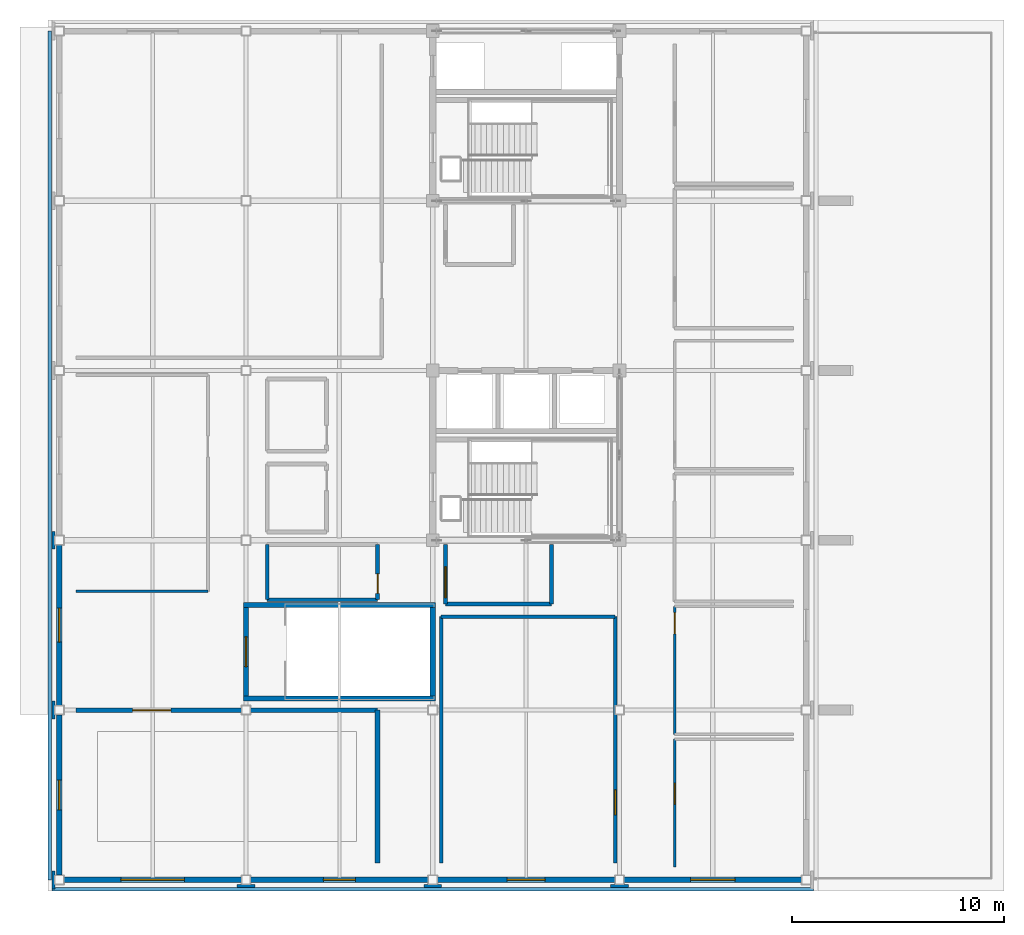
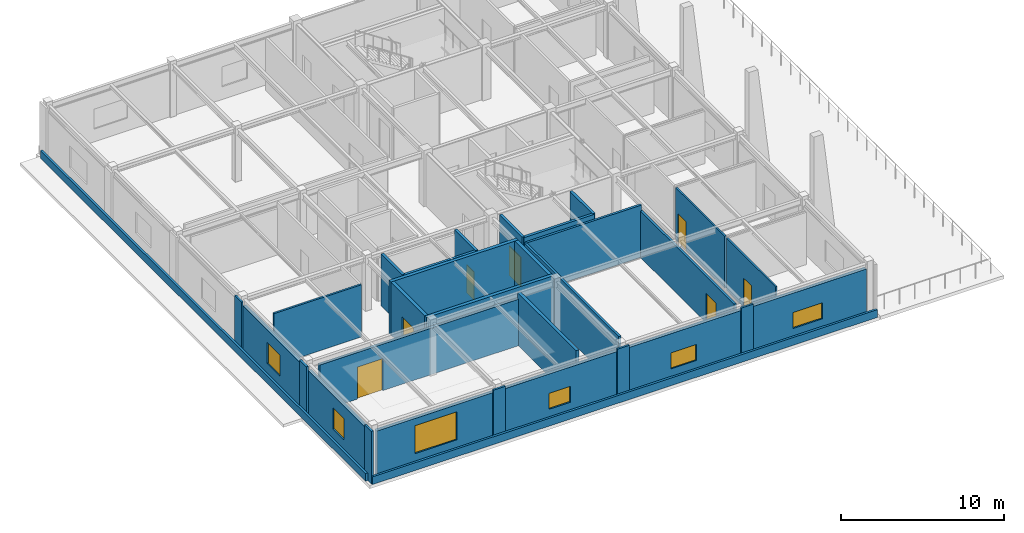
# One storey, part 6 of 13: 32 walls, 7 doors, 6 windows, 13 openings.
"""IFC4 building model written with IfcOpenShell, lengths in metres."""

from ifc_helpers import new_model, si_unit, direction, frame, frame_2d, origin, place, context, subcontext, project, spatial, rectangle, extrude, material, layer, layer_set, type_object, element, fill, save


model = new_model("IFC4")

# Units and contexts
model_context = context("Model", 3, precision=1e-05, world=origin(), true_north=direction((0.0, 1.0)))
body_context = subcontext(model_context, "Body", "Model", "MODEL_VIEW")
ifc_project = project(units=[si_unit("LENGTHUNIT", "METRE"), si_unit("AREAUNIT", "SQUARE_METRE"), si_unit("VOLUMEUNIT", "CUBIC_METRE"), si_unit("PLANEANGLEUNIT", "RADIAN"), si_unit("MASSUNIT", "GRAM", prefix="KILO")], contexts=[model_context])

# Site, building, storey
site_placement = place(None, origin())
site = spatial("IfcSite", under=ifc_project, at=site_placement, CompositionType="ELEMENT")
building_placement = place(site_placement, origin())
building = spatial("IfcBuilding", under=site, at=building_placement, Name="Zhaolan Boulevard Law Courts", CompositionType="ELEMENT")
storey_placement = place(building_placement, frame((0.0, 0.0, 37.199951171875)))
storey = spatial("IfcBuildingStorey", under=building, at=storey_placement, Name="L08", CompositionType="ELEMENT", Elevation=37.199951171875)

# Walls
ifc_material_1 = material(Name="Concrete C40", Category="concrete")
ifc_layer_1 = layer(ifc_material_1, 0.139892578125)
ifc_layer_set_1 = layer_set([ifc_layer_1])
wall_type_1 = type_object("IfcWallType", Name="EXT WALL ARCH CLAD140", PredefinedType="SOLIDWALL", material=ifc_layer_set_1)
for number, where, z_axis, x_axis, name in (
    (1, (-0.280029296875, 29.580078125, 0.0), (0.0, 0.0, 1.0), (0.0, 1.0, 0.0), "Concrete Column Cloak Pier CPR-183"),
    (2, (-0.280029296875, 37.580078125, 0.0), (0.0, 0.0, 1.0), (0.0, 1.0, 0.0), "Concrete Column Cloak Pier CPR-185"),
    (3, (-0.280029296875, 45.580078125, 0.0), (0.0, 0.0, 1.0), (0.0, 1.0, 0.0), "Concrete Column Cloak Pier CPR-187"),
):
    element("IfcWall", number, at=place(storey_placement, frame(where, z_axis=z_axis, x_axis=x_axis)), inside=storey, type_object=wall_type_1, Name=name, PredefinedType="SOLIDWALL", context=body_context, shape_type="SweptSolid", body=[
        extrude(rectangle(XDim=0.83984375, YDim=0.139892578125, at=frame_2d((0.419921875, 0.0))), origin(), (0.0, 0.0, 1.0), 3.93994140625),
    ])
for number, where, z_axis, x_axis, name in (
    (4, (8.3798828125, 29.719970703125, 0.0), (0.0, 0.0, 1.0), (1.0, 0.0, 0.0), "Concrete Column Cloak Pier CPR-195"),
    (5, (17.179931640625, 29.719970703125, 0.0), (0.0, 0.0, 1.0), (1.0, 0.0, 0.0), "Concrete Column Cloak Pier CPR-196"),
    (6, (25.97998046875, 29.719970703125, 0.0), (0.0, 0.0, 1.0), (1.0, 0.0, 0.0), "Concrete Column Cloak Pier CPR-197"),
):
    element("IfcWall", number, at=place(storey_placement, frame(where, z_axis=z_axis, x_axis=x_axis)), inside=storey, type_object=wall_type_1, Name=name, PredefinedType="SOLIDWALL", context=body_context, shape_type="SweptSolid", body=[
        extrude(rectangle(XDim=0.840087890625, YDim=0.139892578125, at=frame_2d((0.419921875, 0.0))), origin(), (0.0, 0.0, 1.0), 3.93994140625),
    ])
ifc_material_2 = material(Name="Concrete C40", Category="concrete")
ifc_layer_2 = layer(ifc_material_2, 0.159912109375)
ifc_layer_set_2 = layer_set([ifc_layer_2])
wall_type_2 = type_object("IfcWallType", Name="EXT WALL ARCH CLAD160", PredefinedType="SOLIDWALL", material=ifc_layer_set_2)
wall_1_placement = place(storey_placement, frame((-0.43994140625, 70.0, 0.0), z_axis=(0.0, 0.0, 1.0), x_axis=(0.0, -1.0, 0.0)))
element("IfcWall", 7, at=wall_1_placement, inside=storey, type_object=wall_type_2, Name="Sculpted Concrete Spandrel Band CBW-179", PredefinedType="SOLIDWALL", context=body_context, shape_type="SweptSolid", body=[
    extrude(rectangle(XDim=40.0, YDim=0.159912109375, at=frame_2d((20.0, 0.0))), origin(), (0.0, 0.0, 1.0), 0.580078125),
])
wall_2_placement = place(storey_placement, frame((-0.340087890625, 29.56005859375, 0.0), z_axis=(0.0, 0.0, 1.0), x_axis=(1.0, 0.0, 0.0)))
element("IfcWall", 8, at=wall_2_placement, inside=storey, type_object=wall_type_2, Name="Sculpted Concrete Spandrel Band CBW-181", PredefinedType="SOLIDWALL", context=body_context, shape_type="SweptSolid", body=[
    extrude(rectangle(XDim=35.880126953125, YDim=0.159912109375, at=frame_2d((17.93994140625, 0.0))), origin(), (0.0, 0.0, 1.0), 0.580078125),
])

# Wall, opening, window
ifc_material_3 = material(Name="Concrete C40", Category="concrete")
ifc_layer_3 = layer(ifc_material_3, 0.260009765625)
ifc_layer_set_3 = layer_set([ifc_layer_3])
wall_type_3 = type_object("IfcWallType", Name="EXT WALL CONCRETE260", PredefinedType="SOLIDWALL", material=ifc_layer_set_3)
wall_3_placement = place(storey_placement, frame((0.220947265625, 30.0, 0.0), z_axis=(0.0, 0.0, 1.0), x_axis=(1.0, 0.0, 0.0)))
wall_3 = element("IfcWall", 9, at=wall_3_placement, inside=storey, type_object=wall_type_3, Name="Exterior Wall EW-L08-408", PredefinedType="SOLIDWALL", context=body_context, shape_type="SweptSolid", body=[
    extrude(rectangle(XDim=8.358154296875, YDim=0.260009765625, at=frame_2d((4.17919921875, 0.0))), origin(), (0.0, 0.0, 1.0), 3.593017578125),
])
opening_1_placement = place(wall_3_placement, frame((2.678955078125, 0.0, 0.949951171875)))
opening_1 = element("IfcOpeningElement", 10, at=opening_1_placement, cuts=wall_3, Name="Opening WIN-L08-258", PredefinedType="OPENING", context=body_context, shape_type="SweptSolid", body=[
    extrude(rectangle(XDim=3.0, YDim=2.10009765625, at=frame_2d((1.5, 1.050048828125))), frame((0.0, 0.139892578125, 0.0), z_axis=(0.0, -1.0, 0.0), x_axis=(1.0, 0.0, 0.0)), (0.0, 0.0, 1.0), 0.280029296875),
])
ifc_material_4 = material(Name="Thermally broken aluminium and low-E glazing", Category="aluminium")
window_type_1 = type_object("IfcWindowType", Name="WINDOW 3000X2100", PartitioningType="DOUBLE_PANEL_VERTICAL", PredefinedType="WINDOW", material=ifc_material_4)
window_1_placement = place(opening_1_placement, origin())
window_1 = element("IfcWindow", 11, at=window_1_placement, inside=storey, type_object=window_type_1, Name="Exterior Window WIN-L08-258", OverallHeight=2.10009765625, OverallWidth=3.0, PartitioningType="SINGLE_PANEL", PredefinedType="WINDOW", context=body_context, shape_type="SweptSolid", body=[
    extrude(rectangle(XDim=3.0, YDim=2.10009765625, at=frame_2d((1.5, 1.050048828125))), frame((0.0, 0.030029296875, 0.0), z_axis=(0.0, -1.0, 0.0), x_axis=(1.0, 0.0, 0.0)), (0.0, 0.0, 1.0), 0.06005859375),
])
fill(opening_1, window_1)

wall_4_placement = place(storey_placement, frame((9.02099609375, 30.0, 0.0), z_axis=(0.0, 0.0, 1.0), x_axis=(1.0, 0.0, 0.0)))
wall_4 = element("IfcWall", 12, at=wall_4_placement, inside=storey, type_object=wall_type_3, Name="Exterior Wall EW-L08-409", PredefinedType="SOLIDWALL", context=body_context, shape_type="SweptSolid", body=[
    extrude(rectangle(XDim=8.35791015625, YDim=0.260009765625, at=frame_2d((4.178955078125, 0.0))), origin(), (0.0, 0.0, 1.0), 3.593017578125),
])
opening_2_placement = place(wall_4_placement, frame((3.428955078125, 0.0, 0.949951171875)))
opening_2 = element("IfcOpeningElement", 13, at=opening_2_placement, cuts=wall_4, Name="Opening WIN-L08-259", PredefinedType="OPENING", context=body_context, shape_type="SweptSolid", body=[
    extrude(rectangle(XDim=1.5, YDim=1.199951171875, at=frame_2d((0.75, 0.60009765625))), frame((0.0, 0.139892578125, 0.0), z_axis=(0.0, -1.0, 0.0), x_axis=(1.0, 0.0, 0.0)), (0.0, 0.0, 1.0), 0.280029296875),
])
ifc_material_5 = material(Name="Thermally broken aluminium and low-E glazing", Category="aluminium")
window_type_2 = type_object("IfcWindowType", Name="WINDOW 1500X1200", PartitioningType="SINGLE_PANEL", PredefinedType="WINDOW", material=ifc_material_5)
window_2_placement = place(opening_2_placement, origin())
window_2 = element("IfcWindow", 14, at=window_2_placement, inside=storey, type_object=window_type_2, Name="Exterior Window WIN-L08-259", OverallHeight=1.199951171875, OverallWidth=1.5, PartitioningType="SINGLE_PANEL", PredefinedType="WINDOW", context=body_context, shape_type="SweptSolid", body=[
    extrude(rectangle(XDim=1.5, YDim=1.199951171875, at=frame_2d((0.75, 0.60009765625))), frame((0.0, 0.030029296875, 0.0), z_axis=(0.0, -1.0, 0.0), x_axis=(1.0, 0.0, 0.0)), (0.0, 0.0, 1.0), 0.06005859375),
])
fill(opening_2, window_2)

wall_5_placement = place(storey_placement, frame((17.821044921875, 30.0, 0.0), z_axis=(0.0, 0.0, 1.0), x_axis=(1.0, 0.0, 0.0)))
wall_5 = element("IfcWall", 15, at=wall_5_placement, inside=storey, type_object=wall_type_3, Name="Exterior Wall EW-L08-410", PredefinedType="SOLIDWALL", context=body_context, shape_type="SweptSolid", body=[
    extrude(rectangle(XDim=8.35791015625, YDim=0.260009765625, at=frame_2d((4.178955078125, 0.0))), origin(), (0.0, 0.0, 1.0), 3.593017578125),
])
opening_3_placement = place(wall_5_placement, frame((3.279052734375, 0.0, 0.949951171875)))
opening_3 = element("IfcOpeningElement", 16, at=opening_3_placement, cuts=wall_5, Name="Opening WIN-L08-260", PredefinedType="OPENING", context=body_context, shape_type="SweptSolid", body=[
    extrude(rectangle(XDim=1.800048828125, YDim=1.199951171875, at=frame_2d((0.89990234375, 0.60009765625))), frame((0.0, 0.139892578125, 0.0), z_axis=(0.0, -1.0, 0.0), x_axis=(1.0, 0.0, 0.0)), (0.0, 0.0, 1.0), 0.280029296875),
])
ifc_material_6 = material(Name="Thermally broken aluminium and low-E glazing", Category="aluminium")
window_type_3 = type_object("IfcWindowType", Name="WINDOW 1800X1200", PartitioningType="DOUBLE_PANEL_VERTICAL", PredefinedType="WINDOW", material=ifc_material_6)
window_3_placement = place(opening_3_placement, origin())
window_3 = element("IfcWindow", 17, at=window_3_placement, inside=storey, type_object=window_type_3, Name="Exterior Window WIN-L08-260", OverallHeight=1.199951171875, OverallWidth=1.800048828125, PartitioningType="SINGLE_PANEL", PredefinedType="WINDOW", context=body_context, shape_type="SweptSolid", body=[
    extrude(rectangle(XDim=1.800048828125, YDim=1.199951171875, at=frame_2d((0.89990234375, 0.60009765625))), frame((0.0, 0.030029296875, 0.0), z_axis=(0.0, -1.0, 0.0), x_axis=(1.0, 0.0, 0.0)), (0.0, 0.0, 1.0), 0.06005859375),
])
fill(opening_3, window_3)

wall_6_placement = place(storey_placement, frame((26.62109375, 30.0, 0.0), z_axis=(0.0, 0.0, 1.0), x_axis=(1.0, 0.0, 0.0)))
wall_6 = element("IfcWall", 18, at=wall_6_placement, inside=storey, type_object=wall_type_3, Name="Exterior Wall EW-L08-411", PredefinedType="SOLIDWALL", context=body_context, shape_type="SweptSolid", body=[
    extrude(rectangle(XDim=8.35791015625, YDim=0.260009765625, at=frame_2d((4.178955078125, 0.0))), origin(), (0.0, 0.0, 1.0), 3.593017578125),
])
opening_4_placement = place(wall_6_placement, frame((3.12890625, 0.0, 0.949951171875)))
opening_4 = element("IfcOpeningElement", 19, at=opening_4_placement, cuts=wall_6, Name="Opening WIN-L08-261", PredefinedType="OPENING", context=body_context, shape_type="SweptSolid", body=[
    extrude(rectangle(XDim=2.10009765625, YDim=1.199951171875, at=frame_2d((1.050048828125, 0.60009765625))), frame((0.0, 0.139892578125, 0.0), z_axis=(0.0, -1.0, 0.0), x_axis=(1.0, 0.0, 0.0)), (0.0, 0.0, 1.0), 0.280029296875),
])
ifc_material_7 = material(Name="Thermally broken aluminium and low-E glazing", Category="aluminium")
window_type_4 = type_object("IfcWindowType", Name="WINDOW 2100X1200", PartitioningType="DOUBLE_PANEL_VERTICAL", PredefinedType="WINDOW", material=ifc_material_7)
window_4_placement = place(opening_4_placement, origin())
window_4 = element("IfcWindow", 20, at=window_4_placement, inside=storey, type_object=window_type_4, Name="Exterior Window WIN-L08-261", OverallHeight=1.199951171875, OverallWidth=2.10009765625, PartitioningType="SINGLE_PANEL", PredefinedType="WINDOW", context=body_context, shape_type="SweptSolid", body=[
    extrude(rectangle(XDim=2.10009765625, YDim=1.199951171875, at=frame_2d((1.050048828125, 0.60009765625))), frame((0.0, 0.030029296875, 0.0), z_axis=(0.0, -1.0, 0.0), x_axis=(1.0, 0.0, 0.0)), (0.0, 0.0, 1.0), 0.06005859375),
])
fill(opening_4, window_4)

wall_7_placement = place(storey_placement, frame((0.0, 37.779052734375, 0.0), z_axis=(0.0, 0.0, 1.0), x_axis=(0.0, -1.0, 0.0)))
wall_7 = element("IfcWall", 21, at=wall_7_placement, inside=storey, type_object=wall_type_3, Name="Exterior Wall EW-L08-415", PredefinedType="SOLIDWALL", context=body_context, shape_type="SweptSolid", body=[
    extrude(rectangle(XDim=7.55810546875, YDim=0.260009765625, at=frame_2d((3.779052734375, 0.0))), origin(), (0.0, 0.0, 1.0), 3.483154296875),
])
opening_5_placement = place(wall_7_placement, frame((3.0791015625, 0.0, 0.949951171875)))
opening_5 = element("IfcOpeningElement", 22, at=opening_5_placement, cuts=wall_7, Name="Opening WIN-L08-265", PredefinedType="OPENING", context=body_context, shape_type="SweptSolid", body=[
    extrude(rectangle(XDim=1.39990234375, YDim=1.60009765625, at=frame_2d((0.699951171875, 0.800048828125))), frame((0.0, 0.139892578125, 0.0), z_axis=(0.0, -1.0, 0.0), x_axis=(1.0, 0.0, 0.0)), (0.0, 0.0, 1.0), 0.280029296875),
])
ifc_material_8 = material(Name="Thermally broken aluminium and low-E glazing", Category="aluminium")
window_type_5 = type_object("IfcWindowType", Name="WINDOW 1400X1600", PartitioningType="SINGLE_PANEL", PredefinedType="WINDOW", material=ifc_material_8)
window_5_placement = place(opening_5_placement, origin())
window_5 = element("IfcWindow", 23, at=window_5_placement, inside=storey, type_object=window_type_5, Name="Exterior Window WIN-L08-265", OverallHeight=1.60009765625, OverallWidth=1.39990234375, PartitioningType="SINGLE_PANEL", PredefinedType="WINDOW", context=body_context, shape_type="SweptSolid", body=[
    extrude(rectangle(XDim=1.39990234375, YDim=1.60009765625, at=frame_2d((0.699951171875, 0.800048828125))), frame((0.0, 0.030029296875, 0.0), z_axis=(0.0, -1.0, 0.0), x_axis=(1.0, 0.0, 0.0)), (0.0, 0.0, 1.0), 0.06005859375),
])
fill(opening_5, window_5)

wall_8_placement = place(storey_placement, frame((0.0, 45.779052734375, 0.0), z_axis=(0.0, 0.0, 1.0), x_axis=(0.0, -1.0, 0.0)))
wall_8 = element("IfcWall", 24, at=wall_8_placement, inside=storey, type_object=wall_type_3, Name="Exterior Wall EW-L08-416", PredefinedType="SOLIDWALL", context=body_context, shape_type="SweptSolid", body=[
    extrude(rectangle(XDim=7.55810546875, YDim=0.260009765625, at=frame_2d((3.779052734375, 0.0))), origin(), (0.0, 0.0, 1.0), 3.483154296875),
])
opening_6_placement = place(wall_8_placement, frame((2.97900390625, 0.0, 0.949951171875)))
opening_6 = element("IfcOpeningElement", 25, at=opening_6_placement, cuts=wall_8, Name="Opening WIN-L08-266", PredefinedType="OPENING", context=body_context, shape_type="SweptSolid", body=[
    extrude(rectangle(XDim=1.60009765625, YDim=1.60009765625, at=frame_2d((0.800048828125, 0.800048828125))), frame((0.0, 0.139892578125, 0.0), z_axis=(0.0, -1.0, 0.0), x_axis=(1.0, 0.0, 0.0)), (0.0, 0.0, 1.0), 0.280029296875),
])
ifc_material_9 = material(Name="Thermally broken aluminium and low-E glazing", Category="aluminium")
window_type_6 = type_object("IfcWindowType", Name="WINDOW 1600X1600", PartitioningType="SINGLE_PANEL", PredefinedType="WINDOW", material=ifc_material_9)
window_6_placement = place(opening_6_placement, origin())
window_6 = element("IfcWindow", 26, at=window_6_placement, inside=storey, type_object=window_type_6, Name="Exterior Window WIN-L08-266", OverallHeight=1.60009765625, OverallWidth=1.60009765625, PartitioningType="SINGLE_PANEL", PredefinedType="WINDOW", context=body_context, shape_type="SweptSolid", body=[
    extrude(rectangle(XDim=1.60009765625, YDim=1.60009765625, at=frame_2d((0.800048828125, 0.800048828125))), frame((0.0, 0.030029296875, 0.0), z_axis=(0.0, -1.0, 0.0), x_axis=(1.0, 0.0, 0.0)), (0.0, 0.0, 1.0), 0.06005859375),
])
fill(opening_6, window_6)

# Wall
ifc_material_10 = material(Name="Acoustic gypsum and mineral-wool stud")
ifc_layer_4 = layer(ifc_material_10, 0.18994140625)
ifc_layer_set_4 = layer_set([ifc_layer_4])
wall_type_4 = type_object("IfcWallType", Name="PART WALL ACOUST190", PredefinedType="PARTITIONING", material=ifc_layer_set_4)
wall_9_placement = place(storey_placement, frame((18.199951171875, 43.0, 0.0), z_axis=(0.0, 0.0, 1.0), x_axis=(1.0, 0.0, 0.0)))
element("IfcWall", 27, at=wall_9_placement, inside=storey, type_object=wall_type_4, Name="Interior Partition PW-L08-055", PredefinedType="PARTITIONING", context=body_context, shape_type="SweptSolid", body=[
    extrude(rectangle(XDim=5.0, YDim=0.18994140625, at=frame_2d((2.5, 0.0))), origin(), (0.0, 0.0, 1.0), 3.920166015625),
])

# Wall, opening, door
wall_10_placement = place(storey_placement, frame((18.199951171875, 45.800048828125, 0.0), z_axis=(0.0, 0.0, 1.0), x_axis=(0.0, -1.0, 0.0)))
wall_10 = element("IfcWall", 28, at=wall_10_placement, inside=storey, type_object=wall_type_4, Name="Interior Partition PW-L08-056", PredefinedType="PARTITIONING", context=body_context, shape_type="SweptSolid", body=[
    extrude(rectangle(XDim=2.800048828125, YDim=0.18994140625, at=frame_2d((1.39990234375, 0.0))), origin(), (0.0, 0.0, 1.0), 3.920166015625),
])
opening_7_placement = place(wall_10_placement, frame((1.050048828125, 0.0, 0.0)))
opening_7 = element("IfcOpeningElement", 29, at=opening_7_placement, cuts=wall_10, Name="Opening FD-L08-019", PredefinedType="OPENING", context=body_context, shape_type="SweptSolid", body=[
    extrude(rectangle(XDim=1.449951171875, YDim=2.199951171875, at=frame_2d((0.72509765625, 1.10009765625))), frame((0.0, 0.10498046875, 0.0), z_axis=(0.0, -1.0, 0.0), x_axis=(1.0, 0.0, 0.0)), (0.0, 0.0, 1.0), 0.2099609375),
])
ifc_material_11 = material(Name="Fire-rated steel acoustic door", Category="steel")
door_type_1 = type_object("IfcDoorType", Name="LOBBY FIRE 1450X2200 L", OperationType="SINGLE_SWING_LEFT", PredefinedType="DOOR", material=ifc_material_11)
door_1_placement = place(opening_7_placement, origin())
door_1 = element("IfcDoor", 30, at=door_1_placement, inside=storey, type_object=door_type_1, Name="Door FD-L08-019 (Lobby Firefighting Lift L08-W1)", OperationType="SINGLE_SWING_LEFT", OverallHeight=2.199951171875, OverallWidth=1.449951171875, PredefinedType="DOOR", context=body_context, shape_type="SweptSolid", body=[
    extrude(rectangle(XDim=1.449951171875, YDim=2.199951171875, at=frame_2d((0.72509765625, 1.10009765625))), frame((0.0, 0.02490234375, 0.0), z_axis=(0.0, -1.0, 0.0), x_axis=(1.0, 0.0, 0.0)), (0.0, 0.0, 1.0), 0.050048828125),
])
fill(opening_7, door_1)

# Walls
wall_11_placement = place(storey_placement, frame((23.199951171875, 43.0, 0.0), z_axis=(0.0, 0.0, 1.0), x_axis=(0.0, 1.0, 0.0)))
element("IfcWall", 31, at=wall_11_placement, inside=storey, type_object=wall_type_4, Name="Interior Partition PW-L08-057", PredefinedType="PARTITIONING", context=body_context, shape_type="SweptSolid", body=[
    extrude(rectangle(XDim=2.800048828125, YDim=0.18994140625, at=frame_2d((1.39990234375, 0.0))), origin(), (0.0, 0.0, 1.0), 3.920166015625),
])
ifc_material_12 = material(Name="Fire-rated gypsum stud partition")
ifc_layer_5 = layer(ifc_material_12, 0.159912109375)
ifc_layer_set_5 = layer_set([ifc_layer_5])
wall_type_5 = type_object("IfcWallType", Name="PART WALL CHAMB160", PredefinedType="PARTITIONING", material=ifc_layer_set_5)
wall_12_placement = place(storey_placement, frame((26.199951171875, 42.39990234375, 0.0), z_axis=(0.0, 0.0, 1.0), x_axis=(-1.0, 0.0, 0.0)))
element("IfcWall", 32, at=wall_12_placement, inside=storey, type_object=wall_type_5, Name="Interior Partition PW-L08-806", PredefinedType="PARTITIONING", context=body_context, shape_type="SweptSolid", body=[
    extrude(rectangle(XDim=8.199951171875, YDim=0.159912109375, at=frame_2d((4.10009765625, 0.0))), origin(), (0.0, 0.0, 1.0), 3.920166015625),
])
wall_13_placement = place(storey_placement, frame((18.0, 42.39990234375, 0.0), z_axis=(0.0, 0.0, 1.0), x_axis=(0.0, -1.0, 0.0)))
element("IfcWall", 33, at=wall_13_placement, inside=storey, type_object=wall_type_5, Name="Interior Partition PW-L08-807", PredefinedType="PARTITIONING", context=body_context, shape_type="SweptSolid", body=[
    extrude(rectangle(XDim=11.599853515625, YDim=0.159912109375, at=frame_2d((5.7998046875, 0.0))), origin(), (0.0, 0.0, 1.0), 3.920166015625),
])

# Wall, opening, door
wall_14_placement = place(storey_placement, frame((26.199951171875, 30.800048828125, 0.0), z_axis=(0.0, 0.0, 1.0), x_axis=(0.0, 1.0, 0.0)))
wall_14 = element("IfcWall", 34, at=wall_14_placement, inside=storey, type_object=wall_type_5, Name="Interior Partition PW-L08-808", PredefinedType="PARTITIONING", context=body_context, shape_type="SweptSolid", body=[
    extrude(rectangle(XDim=11.599853515625, YDim=0.159912109375, at=frame_2d((5.7998046875, 0.0))), origin(), (0.0, 0.0, 1.0), 3.486083984375),
])
opening_8_placement = place(wall_14_placement, frame((2.263916015625, 0.0, 0.0)))
opening_8 = element("IfcOpeningElement", 35, at=opening_8_placement, cuts=wall_14, Name="Opening MD-L08-254", PredefinedType="OPENING", context=body_context, shape_type="SweptSolid", body=[
    extrude(rectangle(XDim=1.179931640625, YDim=2.199951171875, at=frame_2d((0.58984375, 1.10009765625))), frame((0.0, 0.08984375, 0.0), z_axis=(0.0, -1.0, 0.0), x_axis=(1.0, 0.0, 0.0)), (0.0, 0.0, 1.0), 0.179931640625),
])
ifc_material_13 = material(Name="Solid-core acoustic oak veneer door")
door_type_2 = type_object("IfcDoorType", Name="MED DOOR 1180X2200 R", OperationType="SINGLE_SWING_RIGHT", PredefinedType="DOOR", material=ifc_material_13)
door_2_placement = place(opening_8_placement, origin())
door_2 = element("IfcDoor", 36, at=door_2_placement, inside=storey, type_object=door_type_2, Name="Door MD-L08-254 (En Banc Deliberation Room L08)", OperationType="SINGLE_SWING_RIGHT", OverallHeight=2.199951171875, OverallWidth=1.179931640625, PredefinedType="DOOR", context=body_context, shape_type="SweptSolid", body=[
    extrude(rectangle(XDim=1.179931640625, YDim=2.199951171875, at=frame_2d((0.58984375, 1.10009765625))), frame((0.0, 0.02490234375, 0.0), z_axis=(0.0, -1.0, 0.0), x_axis=(1.0, 0.0, 0.0)), (0.0, 0.0, 1.0), 0.050048828125),
])
fill(opening_8, door_2)

ifc_material_14 = material(Name="Concrete C40", Category="concrete")
ifc_layer_6 = layer(ifc_material_14, 0.219970703125)
ifc_layer_set_6 = layer_set([ifc_layer_6])
wall_type_6 = type_object("IfcWallType", Name="PART WALL COURT220", PredefinedType="PARTITIONING", material=ifc_layer_set_6)
wall_15_placement = place(storey_placement, frame((15.0, 38.0, 0.0), z_axis=(0.0, 0.0, 1.0), x_axis=(-1.0, 0.0, 0.0)))
wall_15 = element("IfcWall", 37, at=wall_15_placement, inside=storey, type_object=wall_type_6, Name="Interior Partition PW-L08-710", PredefinedType="PARTITIONING", context=body_context, shape_type="SweptSolid", body=[
    extrude(rectangle(XDim=14.199951171875, YDim=0.219970703125, at=frame_2d((7.10009765625, 0.0))), origin(), (0.0, 0.0, 1.0), 3.486083984375),
])
opening_9_placement = place(wall_15_placement, frame((9.739990234375, 0.0, 0.0)))
opening_9 = element("IfcOpeningElement", 38, at=opening_9_placement, cuts=wall_15, Name="Opening ID-L08-219", PredefinedType="OPENING", context=body_context, shape_type="SweptSolid", body=[
    extrude(rectangle(XDim=1.800048828125, YDim=2.39990234375, at=frame_2d((0.89990234375, 1.199951171875))), frame((0.0, 0.119873046875, 0.0), z_axis=(0.0, -1.0, 0.0), x_axis=(1.0, 0.0, 0.0)), (0.0, 0.0, 1.0), 0.239990234375),
])
ifc_material_15 = material(Name="Solid-core acoustic oak veneer door")
door_type_3 = type_object("IfcDoorType", Name="COURT DOUBLE 1800X2400", OperationType="DOUBLE_DOOR_SINGLE_SWING", PredefinedType="DOOR", material=ifc_material_15)
door_3_placement = place(opening_9_placement, origin())
door_3 = element("IfcDoor", 39, at=door_3_placement, inside=storey, type_object=door_type_3, Name="Door ID-L08-219 (En Banc Assembly Courtroom)", OperationType="DOUBLE_DOOR_SINGLE_SWING", OverallHeight=2.39990234375, OverallWidth=1.800048828125, PredefinedType="DOOR", context=body_context, shape_type="SweptSolid", body=[
    extrude(rectangle(XDim=1.800048828125, YDim=2.39990234375, at=frame_2d((0.89990234375, 1.199951171875))), frame((0.0, 0.02490234375, 0.0), z_axis=(0.0, -1.0, 0.0), x_axis=(1.0, 0.0, 0.0)), (0.0, 0.0, 1.0), 0.050048828125),
])
fill(opening_9, door_3)

# Wall
wall_16_placement = place(storey_placement, frame((15.0, 30.800048828125, 0.0), z_axis=(0.0, 0.0, 1.0), x_axis=(0.0, 1.0, 0.0)))
element("IfcWall", 40, at=wall_16_placement, inside=storey, type_object=wall_type_6, Name="Interior Partition PW-L08-711", PredefinedType="PARTITIONING", context=body_context, shape_type="SweptSolid", body=[
    extrude(rectangle(XDim=7.199951171875, YDim=0.219970703125, at=frame_2d((3.60009765625, 0.0))), origin(), (0.0, 0.0, 1.0), 3.920166015625),
])

# Wall, opening, door
ifc_material_16 = material(Name="Gypsum board stud partition")
ifc_layer_7 = layer(ifc_material_16, 0.1201171875)
ifc_layer_set_7 = layer_set([ifc_layer_7])
wall_type_7 = type_object("IfcWallType", Name="PART WALL LIGHT120", PredefinedType="PARTITIONING", material=ifc_layer_set_7)
wall_17_placement = place(storey_placement, frame((29.0, 36.635009765625, 0.0), z_axis=(0.0, 0.0, 1.0), x_axis=(0.0, -1.0, 0.0)))
wall_17 = element("IfcWall", 41, at=wall_17_placement, inside=storey, type_object=wall_type_7, Name="Interior Partition PW-L08-715", PredefinedType="PARTITIONING", context=body_context, shape_type="SweptSolid", body=[
    extrude(rectangle(XDim=6.034912109375, YDim=0.1201171875, at=frame_2d((3.017578125, 0.0))), origin(), (0.0, 0.0, 1.0), 3.920166015625),
])
opening_10_placement = place(wall_17_placement, frame((2.08203125, 0.0, 0.0)))
opening_10 = element("IfcOpeningElement", 42, at=opening_10_placement, cuts=wall_17, Name="Opening JD-L08-221", PredefinedType="OPENING", context=body_context, shape_type="SweptSolid", body=[
    extrude(rectangle(XDim=0.97998046875, YDim=2.199951171875, at=frame_2d((0.489990234375, 1.10009765625))), frame((0.0, 0.070068359375, 0.0), z_axis=(0.0, -1.0, 0.0), x_axis=(1.0, 0.0, 0.0)), (0.0, 0.0, 1.0), 0.14013671875),
])
ifc_material_17 = material(Name="Solid-core acoustic oak veneer door")
door_type_4 = type_object("IfcDoorType", Name="CHAMBER DOOR 980X2200 R", OperationType="SINGLE_SWING_RIGHT", PredefinedType="DOOR", material=ifc_material_17)
door_4_placement = place(opening_10_placement, origin())
door_4 = element("IfcDoor", 43, at=door_4_placement, inside=storey, type_object=door_type_4, Name="Door JD-L08-221 (Judges' Chambers L08-01)", OperationType="SINGLE_SWING_RIGHT", OverallHeight=2.199951171875, OverallWidth=0.97998046875, PredefinedType="DOOR", context=body_context, shape_type="SweptSolid", body=[
    extrude(rectangle(XDim=0.97998046875, YDim=2.199951171875, at=frame_2d((0.489990234375, 1.10009765625))), frame((0.0, 0.02490234375, 0.0), z_axis=(0.0, -1.0, 0.0), x_axis=(1.0, 0.0, 0.0)), (0.0, 0.0, 1.0), 0.050048828125),
])
fill(opening_10, door_4)

wall_18_placement = place(storey_placement, frame((29.0, 42.889892578125, 0.0), z_axis=(0.0, 0.0, 1.0), x_axis=(0.0, -1.0, 0.0)))
wall_18 = element("IfcWall", 44, at=wall_18_placement, inside=storey, type_object=wall_type_7, Name="Interior Partition PW-L08-718", PredefinedType="PARTITIONING", context=body_context, shape_type="SweptSolid", body=[
    extrude(rectangle(XDim=6.034912109375, YDim=0.1201171875, at=frame_2d((3.017578125, 0.0))), origin(), (0.0, 0.0, 1.0), 3.920166015625),
])
opening_11_placement = place(wall_18_placement, frame((0.300048828125, 0.0, 0.0)))
opening_11 = element("IfcOpeningElement", 45, at=opening_11_placement, cuts=wall_18, Name="Opening JD-L08-222", PredefinedType="OPENING", context=body_context, shape_type="SweptSolid", body=[
    extrude(rectangle(XDim=1.0, YDim=2.14990234375, at=frame_2d((0.5, 1.074951171875))), frame((0.0, 0.070068359375, 0.0), z_axis=(0.0, -1.0, 0.0), x_axis=(1.0, 0.0, 0.0)), (0.0, 0.0, 1.0), 0.14013671875),
])
ifc_material_18 = material(Name="Solid-core acoustic oak veneer door")
door_type_5 = type_object("IfcDoorType", Name="CHAMBER DOOR 1000X2150 L", OperationType="SINGLE_SWING_LEFT", PredefinedType="DOOR", material=ifc_material_18)
door_5_placement = place(opening_11_placement, origin())
door_5 = element("IfcDoor", 46, at=door_5_placement, inside=storey, type_object=door_type_5, Name="Door JD-L08-222 (Judges' Chambers L08-02)", OperationType="SINGLE_SWING_LEFT", OverallHeight=2.14990234375, OverallWidth=1.0, PredefinedType="DOOR", context=body_context, shape_type="SweptSolid", body=[
    extrude(rectangle(XDim=1.0, YDim=2.14990234375, at=frame_2d((0.5, 1.074951171875))), frame((0.0, 0.02490234375, 0.0), z_axis=(0.0, -1.0, 0.0), x_axis=(1.0, 0.0, 0.0)), (0.0, 0.0, 1.0), 0.050048828125),
])
fill(opening_11, door_5)

# Walls
ifc_material_19 = material(Name="Fire-rated gypsum stud partition")
ifc_layer_8 = layer(ifc_material_19, 0.139892578125)
ifc_layer_set_8 = layer_set([ifc_layer_8])
wall_type_8 = type_object("IfcWallType", Name="PART WALL OFFICE140", PredefinedType="PARTITIONING", material=ifc_layer_set_8)
wall_19_placement = place(storey_placement, frame((0.800048828125, 43.60009765625, 0.0), z_axis=(0.0, 0.0, 1.0), x_axis=(1.0, 0.0, 0.0)))
element("IfcWall", 47, at=wall_19_placement, inside=storey, type_object=wall_type_8, Name="Interior Partition PW-L08-809", PredefinedType="PARTITIONING", context=body_context, shape_type="SweptSolid", body=[
    extrude(rectangle(XDim=6.199951171875, YDim=0.139892578125, at=frame_2d((3.10009765625, 0.0))), origin(), (0.0, 0.0, 1.0), 3.920166015625),
])
ifc_material_20 = material(Name="Moisture-resistant masonry chase wall", Category="masonry")
ifc_layer_9 = layer(ifc_material_20, 0.179931640625)
ifc_layer_set_9 = layer_set([ifc_layer_9])
wall_type_9 = type_object("IfcWallType", Name="PLUMB WALL 180", PredefinedType="PLUMBINGWALL", material=ifc_layer_set_9)
wall_20_placement = place(storey_placement, frame((9.800048828125, 43.199951171875, 0.0), z_axis=(0.0, 0.0, 1.0), x_axis=(1.0, 0.0, 0.0)))
element("IfcWall", 48, at=wall_20_placement, inside=storey, type_object=wall_type_9, Name="Interior Partition PW-L08-195", PredefinedType="PLUMBINGWALL", context=body_context, shape_type="SweptSolid", body=[
    extrude(rectangle(XDim=5.199951171875, YDim=0.179931640625, at=frame_2d((2.60009765625, 0.0))), origin(), (0.0, 0.0, 1.0), 3.920166015625),
])
wall_21_placement = place(storey_placement, frame((9.800048828125, 45.800048828125, 0.0), z_axis=(0.0, 0.0, 1.0), x_axis=(0.0, -1.0, 0.0)))
element("IfcWall", 49, at=wall_21_placement, inside=storey, type_object=wall_type_9, Name="Interior Partition PW-L08-197", PredefinedType="PLUMBINGWALL", context=body_context, shape_type="SweptSolid", body=[
    extrude(rectangle(XDim=2.60009765625, YDim=0.179931640625, at=frame_2d((1.300048828125, 0.0))), origin(), (0.0, 0.0, 1.0), 3.920166015625),
])

# Wall, opening, door
wall_22_placement = place(storey_placement, frame((15.0, 43.199951171875, 0.0), z_axis=(0.0, 0.0, 1.0), x_axis=(0.0, 1.0, 0.0)))
wall_22 = element("IfcWall", 50, at=wall_22_placement, inside=storey, type_object=wall_type_9, Name="Interior Partition PW-L08-198", PredefinedType="PLUMBINGWALL", context=body_context, shape_type="SweptSolid", body=[
    extrude(rectangle(XDim=2.60009765625, YDim=0.179931640625, at=frame_2d((1.300048828125, 0.0))), origin(), (0.0, 0.0, 1.0), 3.920166015625),
])
opening_12_placement = place(wall_22_placement, frame((0.300048828125, 0.0, 0.0)))
opening_12 = element("IfcOpeningElement", 51, at=opening_12_placement, cuts=wall_22, Name="Opening WD-L08-057", PredefinedType="OPENING", context=body_context, shape_type="SweptSolid", body=[
    extrude(rectangle(XDim=0.919921875, YDim=2.10009765625, at=frame_2d((0.4599609375, 1.050048828125))), frame((0.0, 0.099853515625, 0.0), z_axis=(0.0, -1.0, 0.0), x_axis=(1.0, 0.0, 0.0)), (0.0, 0.0, 1.0), 0.199951171875),
])
ifc_material_21 = material(Name="Solid-core acoustic oak veneer door")
door_type_6 = type_object("IfcDoorType", Name="WCDOOR PUB 920X2100 R", OperationType="SINGLE_SWING_RIGHT", PredefinedType="DOOR", material=ifc_material_21)
door_6_placement = place(opening_12_placement, origin())
door_6 = element("IfcDoor", 52, at=door_6_placement, inside=storey, type_object=door_type_6, Name="Door WD-L08-057 (WC Public Female L08)", OperationType="SINGLE_SWING_RIGHT", OverallHeight=2.10009765625, OverallWidth=0.919921875, PredefinedType="DOOR", context=body_context, shape_type="SweptSolid", body=[
    extrude(rectangle(XDim=0.919921875, YDim=2.10009765625, at=frame_2d((0.4599609375, 1.050048828125))), frame((0.0, 0.02490234375, 0.0), z_axis=(0.0, -1.0, 0.0), x_axis=(1.0, 0.0, 0.0)), (0.0, 0.0, 1.0), 0.050048828125),
])
fill(opening_12, door_6)

# Walls
ifc_material_22 = material(Name="Concrete C50", Category="concrete")
ifc_layer_10 = layer(ifc_material_22, 0.239990234375)
ifc_layer_set_10 = layer_set([ifc_layer_10])
wall_type_10 = type_object("IfcWallType", Name="STAIR WELL WALL 240", PredefinedType="SHEAR", material=ifc_layer_set_10)
for number, where, z_axis, x_axis, name in (
    (53, (8.679931640625, 38.550048828125, 0.0), (0.0, 0.0, 1.0), (1.0, 0.0, 0.0), "Stairwell Shear Wall ST03-L08S"),
    (54, (17.719970703125, 42.949951171875, 0.0), (0.0, 0.0, 1.0), (-1.0, 0.0, 0.0), "Stairwell Shear Wall ST03-L08N"),
):
    element("IfcWall", number, at=place(storey_placement, frame(where, z_axis=z_axis, x_axis=x_axis)), inside=storey, type_object=wall_type_10, Name=name, PredefinedType="SHEAR", context=body_context, shape_type="SweptSolid", body=[
        extrude(rectangle(XDim=9.0400390625, YDim=0.239990234375, at=frame_2d((4.52001953125, 0.0))), origin(), (0.0, 0.0, 1.0), 3.949951171875),
    ])

# Wall, opening, door
wall_23_placement = place(storey_placement, frame((8.800048828125, 38.669921875, 0.0), z_axis=(0.0, 0.0, 1.0), x_axis=(0.0, 1.0, 0.0)))
wall_23 = element("IfcWall", 55, at=wall_23_placement, inside=storey, type_object=wall_type_10, Name="Stairwell Shear Wall ST03-L08W", PredefinedType="SHEAR", context=body_context, shape_type="SweptSolid", body=[
    extrude(rectangle(XDim=4.16015625, YDim=0.239990234375, at=frame_2d((2.080078125, 0.0))), origin(), (0.0, 0.0, 1.0), 3.949951171875),
])
opening_13_placement = place(wall_23_placement, frame((1.3798828125, 0.0, 0.0)))
opening_13 = element("IfcOpeningElement", 56, at=opening_13_placement, cuts=wall_23, Name="Opening SD-L08-55", PredefinedType="OPENING", context=body_context, shape_type="SweptSolid", body=[
    extrude(rectangle(XDim=1.39990234375, YDim=2.199951171875, at=frame_2d((0.699951171875, 1.10009765625))), frame((0.0, 0.1298828125, 0.0), z_axis=(0.0, -1.0, 0.0), x_axis=(1.0, 0.0, 0.0)), (0.0, 0.0, 1.0), 0.260009765625),
])
ifc_material_23 = material(Name="Fire-rated steel acoustic door", Category="steel")
door_type_7 = type_object("IfcDoorType", Name="STAIR FIRE 1400X2200 L", OperationType="SINGLE_SWING_LEFT", PredefinedType="DOOR", material=ifc_material_23)
door_7_placement = place(opening_13_placement, origin())
door_7 = element("IfcDoor", 57, at=door_7_placement, inside=storey, type_object=door_type_7, Name="Smoke-Proof Stairwell Fire Door SD-L08-55", OperationType="SINGLE_SWING_LEFT", OverallHeight=2.199951171875, OverallWidth=1.39990234375, PredefinedType="DOOR", context=body_context, shape_type="SweptSolid", body=[
    extrude(rectangle(XDim=1.39990234375, YDim=2.199951171875, at=frame_2d((0.699951171875, 1.10009765625))), frame((0.0, 0.02490234375, 0.0), z_axis=(0.0, -1.0, 0.0), x_axis=(1.0, 0.0, 0.0)), (0.0, 0.0, 1.0), 0.050048828125),
])
fill(opening_13, door_7)

# Wall
wall_24_placement = place(storey_placement, frame((17.60009765625, 38.669921875, 0.0), z_axis=(0.0, 0.0, 1.0), x_axis=(0.0, 1.0, 0.0)))
element("IfcWall", 58, at=wall_24_placement, inside=storey, type_object=wall_type_10, Name="Stairwell Shear Wall ST03-L08E", PredefinedType="SHEAR", context=body_context, shape_type="SweptSolid", body=[
    extrude(rectangle(XDim=4.16015625, YDim=0.239990234375, at=frame_2d((2.080078125, 0.0))), origin(), (0.0, 0.0, 1.0), 3.949951171875),
])

save(model, "model.ifc")
